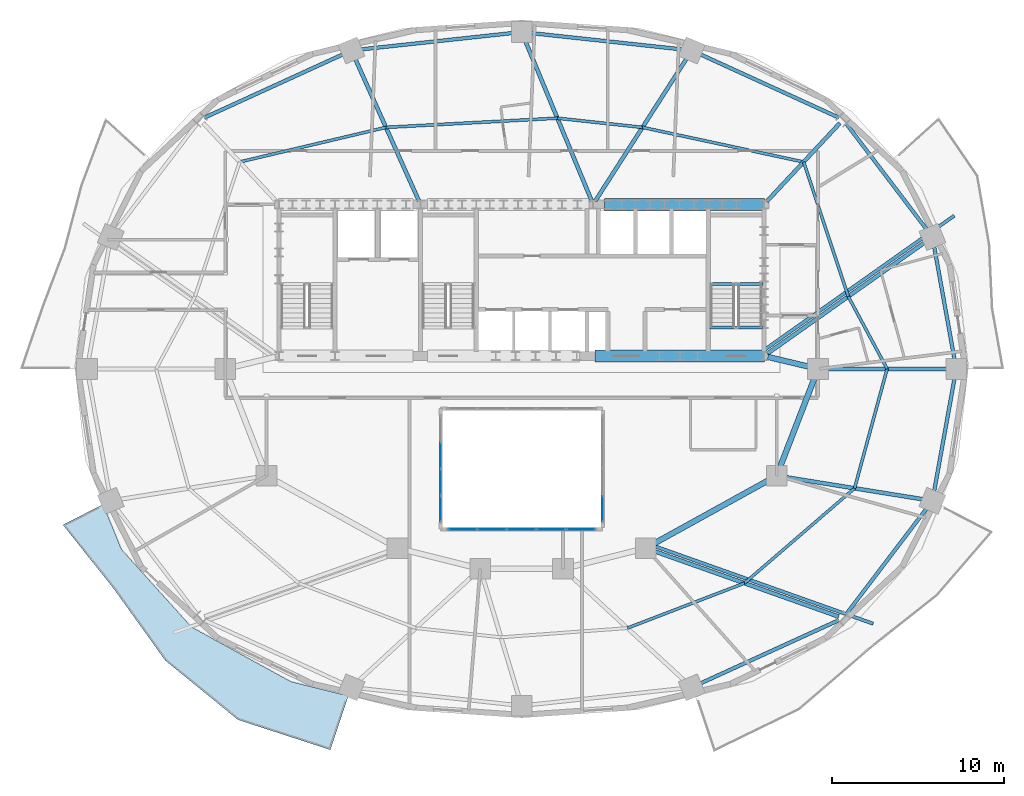
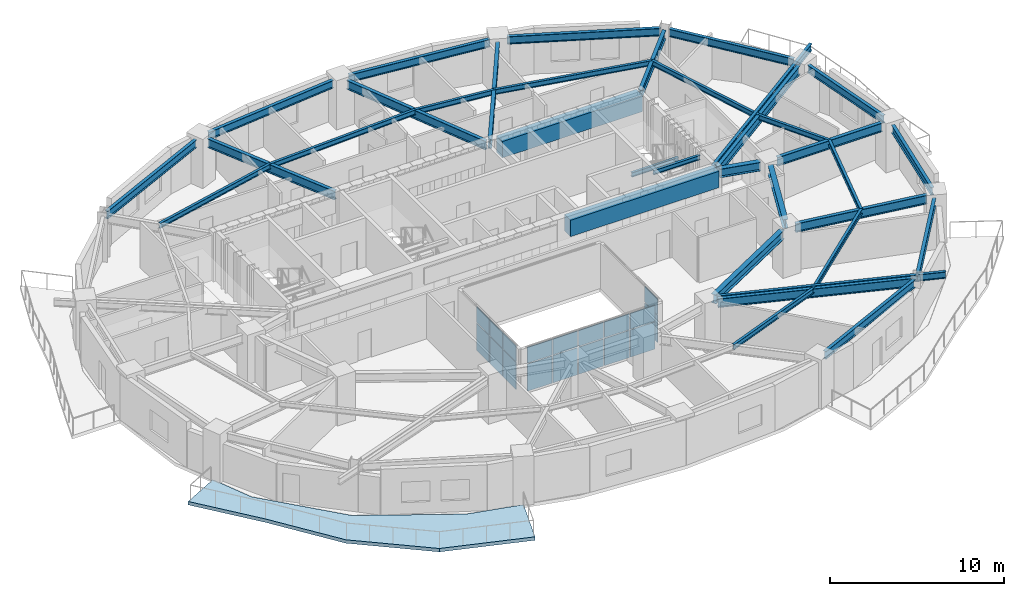
# One storey, part 4 of 13: 35 beams, 18 plates, 1 slab, 3 elements without a shape of their own.
"""IFC4 building model written with IfcOpenShell, lengths in metres."""

from ifc_helpers import new_model, si_unit, direction, frame, origin, origin_2d, place, context, subcontext, project, spatial, polyline, rectangle, i_section, outline, extrude, material, layer, layer_set, material_profile, profile_set, type_object, element, aggregate, save


model = new_model("IFC4")

# Units and contexts
model_context = context("Model", 3, precision=1e-05, world=origin(), true_north=direction((0.0, 1.0)))
body_context = subcontext(model_context, "Body", "Model", "MODEL_VIEW")
ifc_project = project(units=[si_unit("LENGTHUNIT", "METRE"), si_unit("AREAUNIT", "SQUARE_METRE"), si_unit("VOLUMEUNIT", "CUBIC_METRE"), si_unit("PLANEANGLEUNIT", "RADIAN"), si_unit("MASSUNIT", "GRAM", prefix="KILO")], contexts=[model_context])

# Site, building, storey
site_placement = place(None, origin())
site = spatial("IfcSite", under=ifc_project, at=site_placement, CompositionType="ELEMENT")
building_placement = place(site_placement, origin())
building = spatial("IfcBuilding", under=site, at=building_placement, Name="Haldorwick Loom Tower", CompositionType="ELEMENT")
storey_placement = place(building_placement, frame((0.0, 0.0, 142.550048828125)))
storey = spatial("IfcBuildingStorey", under=building, at=storey_placement, Name="L38", CompositionType="ELEMENT", Elevation=142.550048828125)

# Beams
ifc_material_1 = material(Name="Steel CSA G40.21 350W", Category="steel")
ifc_material_profile_1 = material_profile(ifc_material_1, i_section(OverallWidth=0.193115234375, OverallDepth=0.466064453125, WebThickness=0.011474609375, FlangeThickness=0.01904296875, at=origin_2d()), Name="W460X97", Category="steel")
ifc_profile_set_1 = profile_set([ifc_material_profile_1], Name="Steel CSA G40.21 350W")
beam_type_1 = type_object("IfcBeamType", Name="STR-BM-BAL460", PredefinedType="BEAM", material=ifc_profile_set_1)
beam_1_placement = place(storey_placement, frame((43.78369140625, 15.68994140625, 2.97705078125), z_axis=(0.942447955832, -0.334352883266, 0.0), x_axis=(0.334352883266, 0.942447955832, 0.0)))
element("IfcBeam", 1, at=beam_1_placement, inside=storey, type_object=beam_type_1, Name="L38 Continuous Back-Spanned Balcony Beam 1", PredefinedType="BEAM", context=body_context, shape_type="SweptSolid", body=[
    extrude(i_section(OverallWidth=0.193115234375, OverallDepth=0.466064453125, WebThickness=0.011474609375, FlangeThickness=0.01904296875, at=origin_2d()), origin(), (0.0, 0.0, 1.0), 13.385009765625),
])
beam_2_placement = place(storey_placement, frame((50.092041015625, 27.1083984375, 2.97705078125), z_axis=(0.816570288691, 0.577246016554, 0.0), x_axis=(-0.577246016554, 0.816570288691, 0.0)))
element("IfcBeam", 2, at=beam_2_placement, inside=storey, type_object=beam_type_1, Name="L38 Continuous Back-Spanned Balcony Beam 4", PredefinedType="BEAM", context=body_context, shape_type="SweptSolid", body=[
    extrude(i_section(OverallWidth=0.193115234375, OverallDepth=0.466064453125, WebThickness=0.011474609375, FlangeThickness=0.01904296875, at=origin_2d()), origin(), (0.0, 0.0, 1.0), 13.485107421875),
])
ifc_material_2 = material(Name="Concrete C60 (60 MPa)", Category="concrete")
ifc_material_profile_2 = material_profile(ifc_material_2, rectangle(XDim=0.699951171875, YDim=1.14990234375, at=origin_2d()), Name="RC700X1150", Category="concrete")
ifc_profile_set_2 = profile_set([ifc_material_profile_2], Name="Concrete C60 (60 MPa)")
beam_type_2 = type_object("IfcBeamType", Name="STR-BM-CB1150", PredefinedType="LINTEL", material=ifc_profile_set_2)
beam_3_placement = place(storey_placement, frame((40.800048828125, 35.550048828125, 2.635009765625), z_axis=(1.0, 0.0, 0.0), x_axis=(0.0, 1.0, 0.0)))
element("IfcBeam", 3, at=beam_3_placement, inside=storey, type_object=beam_type_2, Name="L38 Core Coupling Beam CB-N3", PredefinedType="LINTEL", context=body_context, shape_type="SweptSolid", body=[
    extrude(rectangle(XDim=0.699951171875, YDim=1.14990234375, at=origin_2d()), origin(), (0.0, 0.0, 1.0), 9.300048828125),
])
beam_4_placement = place(storey_placement, frame((40.25, 26.75, 2.635009765625), z_axis=(1.0, 0.0, 0.0), x_axis=(0.0, 1.0, 0.0)))
element("IfcBeam", 4, at=beam_4_placement, inside=storey, type_object=beam_type_2, Name="L38 Core Coupling Beam CB-S3", PredefinedType="LINTEL", context=body_context, shape_type="SweptSolid", body=[
    extrude(rectangle(XDim=0.699951171875, YDim=1.14990234375, at=origin_2d()), origin(), (0.0, 0.0, 1.0), 9.85009765625),
])
ifc_material_profile_3 = material_profile(ifc_material_1, i_section(OverallWidth=0.172119140625, OverallDepth=0.35791015625, WebThickness=0.0078125, FlangeThickness=0.01318359375, at=origin_2d()), Name="W360X57", Category="steel")
ifc_profile_set_3 = profile_set([ifc_material_profile_3], Name="Steel CSA G40.21 350W")
beam_type_3 = type_object("IfcBeamType", Name="STR-BM-J360", PredefinedType="JOIST", material=ifc_profile_set_3)
beam_5_placement = place(storey_placement, frame((57.20849609375, 26.0, 3.031005859375), z_axis=(-0.472930162238, 0.881099915813, 0.0), x_axis=(-0.881099915813, -0.472930162238, 0.0)))
element("IfcBeam", 5, at=beam_5_placement, inside=storey, type_object=beam_type_3, Name="L38 Mid-Bay Secondary Joist 1", PredefinedType="JOIST", context=body_context, shape_type="SweptSolid", body=[
    extrude(i_section(OverallWidth=0.172119140625, OverallDepth=0.35791015625, WebThickness=0.0078125, FlangeThickness=0.01318359375, at=origin_2d()), origin(), (0.0, 0.0, 1.0), 4.76904296875),
])
beam_6_placement = place(storey_placement, frame((54.953125, 30.201904296875, 3.031005859375), z_axis=(-0.314980632705, 0.949098098734, 0.0), x_axis=(-0.949098098734, -0.314980632705, 0.0)))
element("IfcBeam", 6, at=beam_6_placement, inside=storey, type_object=beam_type_3, Name="L38 Mid-Bay Secondary Joist 2", PredefinedType="JOIST", context=body_context, shape_type="SweptSolid", body=[
    extrude(i_section(OverallWidth=0.172119140625, OverallDepth=0.35791015625, WebThickness=0.0078125, FlangeThickness=0.01318359375, at=origin_2d()), origin(), (0.0, 0.0, 1.0), 8.223876953125),
])
beam_7_placement = place(storey_placement, frame((52.36279296875, 38.007080078125, 3.031005859375), z_axis=(-0.977737366421, 0.209832414808, 0.0), x_axis=(-0.209832414808, -0.977737366421, 0.0)))
element("IfcBeam", 7, at=beam_7_placement, inside=storey, type_object=beam_type_3, Name="L38 Mid-Bay Secondary Joist 3", PredefinedType="JOIST", context=body_context, shape_type="SweptSolid", body=[
    extrude(i_section(OverallWidth=0.172119140625, OverallDepth=0.35791015625, WebThickness=0.0078125, FlangeThickness=0.01318359375, at=origin_2d()), origin(), (0.0, 0.0, 1.0), 9.56396484375),
])
beam_8_placement = place(storey_placement, frame((43.01171875, 40.013916015625, 3.031005859375), z_axis=(-0.994212584227, 0.107430616514, 0.0), x_axis=(-0.107430616514, -0.994212584227, 0.0)))
element("IfcBeam", 8, at=beam_8_placement, inside=storey, type_object=beam_type_3, Name="L38 Mid-Bay Secondary Joist 4", PredefinedType="JOIST", context=body_context, shape_type="SweptSolid", body=[
    extrude(i_section(OverallWidth=0.172119140625, OverallDepth=0.35791015625, WebThickness=0.0078125, FlangeThickness=0.01318359375, at=origin_2d()), origin(), (0.0, 0.0, 1.0), 4.965576171875),
])
beam_9_placement = place(storey_placement, frame((38.074951171875, 40.54736328125, 3.031005859375), z_axis=(-0.998564927415, -0.053554511828, 0.0), x_axis=(0.053554511828, -0.998564927415, 0.0)))
element("IfcBeam", 9, at=beam_9_placement, inside=storey, type_object=beam_type_3, Name="L38 Mid-Bay Secondary Joist 5", PredefinedType="JOIST", context=body_context, shape_type="SweptSolid", body=[
    extrude(i_section(OverallWidth=0.172119140625, OverallDepth=0.35791015625, WebThickness=0.0078125, FlangeThickness=0.01318359375, at=origin_2d()), origin(), (0.0, 0.0, 1.0), 9.9609375),
])
beam_10_placement = place(storey_placement, frame((28.12841796875, 40.013916015625, 3.031005859375), z_axis=(-0.973189168086, -0.230006180612, 0.0), x_axis=(0.230006180612, -0.973189168086, 0.0)))
element("IfcBeam", 10, at=beam_10_placement, inside=storey, type_object=beam_type_3, Name="L38 Mid-Bay Secondary Joist 6", PredefinedType="JOIST", context=body_context, shape_type="SweptSolid", body=[
    extrude(i_section(OverallWidth=0.172119140625, OverallDepth=0.35791015625, WebThickness=0.0078125, FlangeThickness=0.01318359375, at=origin_2d()), origin(), (0.0, 0.0, 1.0), 8.72509765625),
])
beam_11_placement = place(storey_placement, frame((42.13671875, 10.961181640625, 3.031005859375), z_axis=(0.933586737031, 0.358351509609, 0.0), x_axis=(-0.358351509609, 0.933586737031, 0.0)))
element("IfcBeam", 11, at=beam_11_placement, inside=storey, type_object=beam_type_3, Name="L38 Mid-Bay Secondary Joist 14", PredefinedType="JOIST", context=body_context, shape_type="SweptSolid", body=[
    extrude(i_section(OverallWidth=0.172119140625, OverallDepth=0.35791015625, WebThickness=0.0078125, FlangeThickness=0.01318359375, at=origin_2d()), origin(), (0.0, 0.0, 1.0), 7.274169921875),
])
beam_12_placement = place(storey_placement, frame((48.927734375, 13.56787109375, 3.031005859375), z_axis=(0.75763401328, 0.652679631918, 0.0), x_axis=(-0.652679631918, 0.75763401328, 0.0)))
element("IfcBeam", 12, at=beam_12_placement, inside=storey, type_object=beam_type_3, Name="L38 Mid-Bay Secondary Joist 15", PredefinedType="JOIST", context=body_context, shape_type="SweptSolid", body=[
    extrude(i_section(OverallWidth=0.172119140625, OverallDepth=0.35791015625, WebThickness=0.0078125, FlangeThickness=0.01318359375, at=origin_2d()), origin(), (0.0, 0.0, 1.0), 8.4345703125),
])
beam_13_placement = place(storey_placement, frame((55.318115234375, 19.072998046875, 3.031005859375), z_axis=(0.263272762578, 0.964721437766, 0.0), x_axis=(-0.964721437766, 0.263272762578, 0.0)))
element("IfcBeam", 13, at=beam_13_placement, inside=storey, type_object=beam_type_3, Name="L38 Mid-Bay Secondary Joist 16", PredefinedType="JOIST", context=body_context, shape_type="SweptSolid", body=[
    extrude(i_section(OverallWidth=0.172119140625, OverallDepth=0.35791015625, WebThickness=0.0078125, FlangeThickness=0.01318359375, at=origin_2d()), origin(), (0.0, 0.0, 1.0), 7.180419921875),
])
ifc_material_profile_4 = material_profile(ifc_material_1, i_section(OverallWidth=0.2119140625, OverallDepth=0.5439453125, WebThickness=0.01318359375, FlangeThickness=0.021240234375, at=origin_2d()), Name="W530X123", Category="steel")
ifc_profile_set_4 = profile_set([ifc_material_profile_4], Name="Steel CSA G40.21 350W")
beam_type_4 = type_object("IfcBeamType", Name="STR-BM-SP530", PredefinedType="SPANDREL", material=ifc_profile_set_4)
beam_14_placement = place(storey_placement, frame((61.124755859375, 26.51171875, 2.93798828125), z_axis=(-0.177558730702, 0.984110205796, 0.0), x_axis=(-0.984110205796, -0.177558730702, 0.0)))
element("IfcBeam", 14, at=beam_14_placement, inside=storey, type_object=beam_type_4, Name="L38 Perimeter Spandrel 1", PredefinedType="SPANDREL", context=body_context, shape_type="SweptSolid", body=[
    extrude(i_section(OverallWidth=0.2119140625, OverallDepth=0.5439453125, WebThickness=0.01318359375, FlangeThickness=0.021240234375, at=origin_2d()), origin(), (0.0, 0.0, 1.0), 6.737548828125),
])
beam_15_placement = place(storey_placement, frame((59.521240234375, 34.067626953125, 2.93798828125), z_axis=(-0.605421356486, 0.795905133236, 0.0), x_axis=(-0.795905133236, -0.605421356486, 0.0)))
element("IfcBeam", 15, at=beam_15_placement, inside=storey, type_object=beam_type_4, Name="L38 Perimeter Spandrel 2", PredefinedType="SPANDREL", context=body_context, shape_type="SweptSolid", body=[
    extrude(i_section(OverallWidth=0.2119140625, OverallDepth=0.5439453125, WebThickness=0.01318359375, FlangeThickness=0.021240234375, at=origin_2d()), origin(), (0.0, 0.0, 1.0), 7.761962890625),
])
beam_16_placement = place(storey_placement, frame((54.405517578125, 40.57861328125, 2.93798828125), z_axis=(-0.909534296496, 0.415628877121, 0.0), x_axis=(-0.415628877121, -0.909534296496, 0.0)))
element("IfcBeam", 16, at=beam_16_placement, inside=storey, type_object=beam_type_4, Name="L38 Perimeter Spandrel 3", PredefinedType="SPANDREL", context=body_context, shape_type="SweptSolid", body=[
    extrude(i_section(OverallWidth=0.2119140625, OverallDepth=0.5439453125, WebThickness=0.01318359375, FlangeThickness=0.021240234375, at=origin_2d()), origin(), (0.0, 0.0, 1.0), 8.86083984375),
])
for number, where, z_axis, x_axis, name in (
    (17, (45.356201171875, 44.533447265625, 2.93798828125), (-0.994210140187, 0.107453232386, 0.0), (-0.107453232386, -0.994210140187, 0.0), "L38 Perimeter Spandrel 4"),
    (18, (35.48291015625, 45.48876953125, 2.93798828125), (-0.994210140187, -0.107453232386, 0.0), (0.107453232386, -0.994210140187, 0.0), "L38 Perimeter Spandrel 5"),
):
    element("IfcBeam", number, at=place(storey_placement, frame(where, z_axis=z_axis, x_axis=x_axis)), inside=storey, type_object=beam_type_4, Name=name, PredefinedType="SPANDREL", context=body_context, shape_type="SweptSolid", body=[
        extrude(i_section(OverallWidth=0.2119140625, OverallDepth=0.5439453125, WebThickness=0.01318359375, FlangeThickness=0.021240234375, at=origin_2d()), origin(), (0.0, 0.0, 1.0), 8.890625),
    ])
for number, where, z_axis, x_axis, name in (
    (19, (25.65380859375, 44.261474609375, 2.93798828125), (-0.909534296496, -0.415628877121, 0.0), (0.415628877121, -0.909534296496, 0.0), "L38 Perimeter Spandrel 6"),
    (20, (46.34619140625, 7.738525390625, 2.93798828125), (0.909534296496, 0.415628877121, 0.0), (-0.415628877121, 0.909534296496, 0.0), "L38 Perimeter Spandrel 14"),
):
    element("IfcBeam", number, at=place(storey_placement, frame(where, z_axis=z_axis, x_axis=x_axis)), inside=storey, type_object=beam_type_4, Name=name, PredefinedType="SPANDREL", context=body_context, shape_type="SweptSolid", body=[
        extrude(i_section(OverallWidth=0.2119140625, OverallDepth=0.5439453125, WebThickness=0.01318359375, FlangeThickness=0.021240234375, at=origin_2d()), origin(), (0.0, 0.0, 1.0), 8.86083984375),
    ])
beam_17_placement = place(storey_placement, frame((54.822021484375, 11.754638671875, 2.93798828125), z_axis=(0.605421356486, 0.795905133236, 0.0), x_axis=(-0.795905133236, 0.605421356486, 0.0)))
element("IfcBeam", 21, at=beam_17_placement, inside=storey, type_object=beam_type_4, Name="L38 Perimeter Spandrel 15", PredefinedType="SPANDREL", context=body_context, shape_type="SweptSolid", body=[
    extrude(i_section(OverallWidth=0.2119140625, OverallDepth=0.5439453125, WebThickness=0.01318359375, FlangeThickness=0.021240234375, at=origin_2d()), origin(), (0.0, 0.0, 1.0), 7.761962890625),
])
beam_18_placement = place(storey_placement, frame((59.928466796875, 18.85791015625, 2.93798828125), z_axis=(0.177558730702, 0.984110205796, 0.0), x_axis=(-0.984110205796, 0.177558730702, 0.0)))
element("IfcBeam", 22, at=beam_18_placement, inside=storey, type_object=beam_type_4, Name="L38 Perimeter Spandrel 16", PredefinedType="SPANDREL", context=body_context, shape_type="SweptSolid", body=[
    extrude(i_section(OverallWidth=0.2119140625, OverallDepth=0.5439453125, WebThickness=0.01318359375, FlangeThickness=0.021240234375, at=origin_2d()), origin(), (0.0, 0.0, 1.0), 6.737548828125),
])
ifc_material_profile_5 = material_profile(ifc_material_1, i_section(OverallWidth=0.166015625, OverallDepth=0.31298828125, WebThickness=0.006591796875, FlangeThickness=0.01123046875, at=origin_2d()), Name="W310X45", Category="steel")
ifc_profile_set_5 = profile_set([ifc_material_profile_5], Name="Steel CSA G40.21 350W")
beam_type_5 = type_object("IfcBeamType", Name="STR-BM-STRM", PredefinedType="BEAM", material=ifc_profile_set_5)
for number, where, z_axis, x_axis, name in (
    (23, (46.889892578125, 28.39990234375, 3.053466796875), (1.0, 0.0, 0.0), (0.0, 1.0, 0.0), "L38 Stair ST-02 Landing Edge Trimmer"),
    (24, (46.889892578125, 30.919921875, 1.368408203125), (1.0, 0.0, 0.0), (0.0, 1.0, 0.0), "L38 Stair ST-02 Half-Landing Trimmer 1"),
):
    element("IfcBeam", number, at=place(storey_placement, frame(where, z_axis=z_axis, x_axis=x_axis)), inside=storey, type_object=beam_type_5, Name=name, PredefinedType="BEAM", context=body_context, shape_type="SweptSolid", body=[
        extrude(i_section(OverallWidth=0.166015625, OverallDepth=0.31298828125, WebThickness=0.006591796875, FlangeThickness=0.01123046875, at=origin_2d()), origin(), (0.0, 0.0, 1.0), 3.1201171875),
    ])
ifc_material_profile_6 = material_profile(ifc_material_1, i_section(OverallWidth=0.324951171875, OverallDepth=0.615966796875, WebThickness=0.013916015625, FlangeThickness=0.021484375, at=origin_2d()), Name="W610X174", Category="steel")
ifc_profile_set_6 = profile_set([ifc_material_profile_6], Name="Steel CSA G40.21 350W")
beam_type_6 = type_object("IfcBeamType", Name="STR-BM-W610A", PredefinedType="BEAM", material=ifc_profile_set_6)
beam_19_placement = place(storey_placement, frame((50.288818359375, 26.697509765625, 2.90185546875), z_axis=(0.97247055837, -0.233025777764, 0.0), x_axis=(0.233025777764, 0.97247055837, 0.0)))
element("IfcBeam", 25, at=beam_19_placement, inside=storey, type_object=beam_type_6, Name="L38 Inner Ring Girder 1", PredefinedType="BEAM", context=body_context, shape_type="SweptSolid", body=[
    extrude(i_section(OverallWidth=0.324951171875, OverallDepth=0.615966796875, WebThickness=0.013916015625, FlangeThickness=0.021484375, at=origin_2d()), origin(), (0.0, 0.0, 1.0), 2.4736328125),
])
beam_20_placement = place(storey_placement, frame((53.01220703125, 25.51513671875, 2.90185546875), z_axis=(-0.360964792353, -0.93257944363, 0.0), x_axis=(0.93257944363, -0.360964792353, 0.0)))
element("IfcBeam", 26, at=beam_20_placement, inside=storey, type_object=beam_type_6, Name="L38 Inner Ring Girder 2", PredefinedType="BEAM", context=body_context, shape_type="SweptSolid", body=[
    extrude(i_section(OverallWidth=0.324951171875, OverallDepth=0.615966796875, WebThickness=0.013916015625, FlangeThickness=0.021484375, at=origin_2d()), origin(), (0.0, 0.0, 1.0), 5.6083984375),
])
beam_21_placement = place(storey_placement, frame((50.344970703125, 19.548583984375, 2.90185546875), z_axis=(-0.875244382146, -0.483680960471, 0.0), x_axis=(0.483680960471, -0.875244382146, 0.0)))
element("IfcBeam", 27, at=beam_21_placement, inside=storey, type_object=beam_type_6, Name="L38 Inner Ring Girder 3", PredefinedType="BEAM", context=body_context, shape_type="SweptSolid", body=[
    extrude(i_section(OverallWidth=0.324951171875, OverallDepth=0.615966796875, WebThickness=0.013916015625, FlangeThickness=0.021484375, at=origin_2d()), origin(), (0.0, 0.0, 1.0), 7.6435546875),
])
ifc_material_profile_7 = material_profile(ifc_material_1, i_section(OverallWidth=0.22998046875, OverallDepth=0.616943359375, WebThickness=0.01318359375, FlangeThickness=0.022216796875, at=origin_2d()), Name="W610X140", Category="steel")
ifc_profile_set_7 = profile_set([ifc_material_profile_7], Name="Steel CSA G40.21 350W")
beam_type_7 = type_object("IfcBeamType", Name="STR-BM-W610B", PredefinedType="BEAM", material=ifc_profile_set_7)
beam_22_placement = place(storey_placement, frame((53.719970703125, 26.0, 2.9013671875), z_axis=(1.0, 0.0, 0.0), x_axis=(0.0, 1.0, 0.0)))
element("IfcBeam", 28, at=beam_22_placement, inside=storey, type_object=beam_type_7, Name="L38 Radial Floor Girder 1", PredefinedType="BEAM", context=body_context, shape_type="SweptSolid", body=[
    extrude(i_section(OverallWidth=0.22998046875, OverallDepth=0.616943359375, WebThickness=0.01318359375, FlangeThickness=0.022216796875, at=origin_2d()), origin(), (0.0, 0.0, 1.0), 6.97705078125),
])
beam_23_placement = place(storey_placement, frame((50.253662109375, 26.8798828125, 2.9013671875), z_axis=(0.816581567299, 0.577230061542, 0.0), x_axis=(-0.577230061542, 0.816581567299, 0.0)))
element("IfcBeam", 29, at=beam_23_placement, inside=storey, type_object=beam_type_7, Name="L38 Radial Floor Girder 2", PredefinedType="BEAM", context=body_context, shape_type="SweptSolid", body=[
    extrude(i_section(OverallWidth=0.22998046875, OverallDepth=0.616943359375, WebThickness=0.01318359375, FlangeThickness=0.022216796875, at=origin_2d()), origin(), (0.0, 0.0, 1.0), 11.215087890625),
])
beam_24_placement = place(storey_placement, frame((50.223388671875, 35.714599609375, 2.9013671875), z_axis=(0.682256728841, 0.731112683484, 0.0), x_axis=(-0.731112683484, 0.682256728841, 0.0)))
element("IfcBeam", 30, at=beam_24_placement, inside=storey, type_object=beam_type_7, Name="L38 Radial Floor Girder 3", PredefinedType="BEAM", context=body_context, shape_type="SweptSolid", body=[
    extrude(i_section(OverallWidth=0.22998046875, OverallDepth=0.616943359375, WebThickness=0.01318359375, FlangeThickness=0.022216796875, at=origin_2d()), origin(), (0.0, 0.0, 1.0), 6.221435546875),
])
beam_25_placement = place(storey_placement, frame((40.271484375, 35.739501953125, 2.9013671875), z_axis=(0.53969086509, 0.841863272829, 0.0), x_axis=(-0.841863272829, 0.53969086509, 0.0)))
element("IfcBeam", 31, at=beam_25_placement, inside=storey, type_object=beam_type_7, Name="L38 Radial Floor Girder 4", PredefinedType="BEAM", context=body_context, shape_type="SweptSolid", body=[
    extrude(i_section(OverallWidth=0.22998046875, OverallDepth=0.616943359375, WebThickness=0.01318359375, FlangeThickness=0.022216796875, at=origin_2d()), origin(), (0.0, 0.0, 1.0), 9.859375),
])
beam_26_placement = place(storey_placement, frame((40.063720703125, 35.7578125, 2.9013671875), z_axis=(-0.383472813848, 0.923552164764, 0.0), x_axis=(-0.923552164764, -0.383472813848, 0.0)))
element("IfcBeam", 32, at=beam_26_placement, inside=storey, type_object=beam_type_7, Name="L38 Radial Floor Girder 5", PredefinedType="BEAM", context=body_context, shape_type="SweptSolid", body=[
    extrude(i_section(OverallWidth=0.22998046875, OverallDepth=0.616943359375, WebThickness=0.01318359375, FlangeThickness=0.022216796875, at=origin_2d()), origin(), (0.0, 0.0, 1.0), 10.076904296875),
])
beam_27_placement = place(storey_placement, frame((30.037841796875, 35.75537109375, 2.9013671875), z_axis=(-0.409143536778, 0.912470035844, 0.0), x_axis=(-0.912470035844, -0.409143536778, 0.0)))
element("IfcBeam", 33, at=beam_27_placement, inside=storey, type_object=beam_type_7, Name="L38 Radial Floor Girder 6", PredefinedType="BEAM", context=body_context, shape_type="SweptSolid", body=[
    extrude(i_section(OverallWidth=0.22998046875, OverallDepth=0.616943359375, WebThickness=0.01318359375, FlangeThickness=0.022216796875, at=origin_2d()), origin(), (0.0, 0.0, 1.0), 9.0390625),
])
beam_28_placement = place(storey_placement, frame((43.690185546875, 15.426025390625, 2.9013671875), z_axis=(0.9424463153, -0.334357507433, 0.0), x_axis=(0.334357507433, 0.9424463153, 0.0)))
element("IfcBeam", 34, at=beam_28_placement, inside=storey, type_object=beam_type_7, Name="L38 Radial Floor Girder 15", PredefinedType="BEAM", context=body_context, shape_type="SweptSolid", body=[
    extrude(i_section(OverallWidth=0.22998046875, OverallDepth=0.616943359375, WebThickness=0.01318359375, FlangeThickness=0.022216796875, at=origin_2d()), origin(), (0.0, 0.0, 1.0), 11.360107421875),
])
beam_29_placement = place(storey_placement, frame((51.3134765625, 19.71728515625, 2.9013671875), z_axis=(0.987308639475, -0.158813256432, 0.0), x_axis=(0.158813256432, 0.987308639475, 0.0)))
element("IfcBeam", 35, at=beam_29_placement, inside=storey, type_object=beam_type_7, Name="L38 Radial Floor Girder 16", PredefinedType="BEAM", context=body_context, shape_type="SweptSolid", body=[
    extrude(i_section(OverallWidth=0.22998046875, OverallDepth=0.616943359375, WebThickness=0.01318359375, FlangeThickness=0.022216796875, at=origin_2d()), origin(), (0.0, 0.0, 1.0), 8.1123046875),
])

# Curtain wall, plates
ifc_material_3 = material(Name="Thermally Broken Anodized Aluminium Curtain Wall Framing", Category="aluminium")
curtain_wall_type = type_object("IfcCurtainWallType", Name="ARC-CW-03", PredefinedType="NOTDEFINED", material=ifc_material_3)
curtain_wall_1_placement = place(storey_placement, origin())
curtain_wall_1 = element("IfcCurtainWall", 36, at=curtain_wall_1_placement, inside=storey, type_object=curtain_wall_type, Name="L38 Atrium Glazed Screen S", PredefinedType="NOTDEFINED")
ifc_material_4 = material(Name="Triple-Glazed Low-E Argon Insulated Glazing Unit", Category="glass")
ifc_layer_1 = layer(ifc_material_4, 0.04296875, Name="Triple-Glazed Low-E Argon Insulated Glazing Unit", Category="glass")
ifc_layer_set_1 = layer_set([ifc_layer_1], Name="Triple-Glazed Low-E Argon Insulated Glazing Unit")
plate_type = type_object("IfcPlateType", Name="ARC-CWP-03", PredefinedType="CURTAIN_PANEL", material=ifc_layer_set_1)
plate_1_placement = place(storey_placement, frame((39.423583984375, 16.699951171875, 0.06591796875), z_axis=(0.0, 0.0, 1.0), x_axis=(-1.0, 0.0, 0.0)))
plate_1 = element("IfcPlate", 37, at=plate_1_placement, type_object=plate_type, Name="CW-03 panel 1.1", PredefinedType="CURTAIN_PANEL", context=body_context, shape_type="SweptSolid", body=[
    extrude(rectangle(XDim=1.62109375, YDim=0.04296875, at=origin_2d()), origin(), (0.0, 0.0, 1.0), 1.90087890625),
])
plate_2_placement = place(storey_placement, frame((39.423583984375, 16.699951171875, 2.03271484375), z_axis=(0.0, 0.0, 1.0), x_axis=(-1.0, 0.0, 0.0)))
plate_2 = element("IfcPlate", 38, at=plate_2_placement, type_object=plate_type, Name="CW-03 panel 1.2", PredefinedType="CURTAIN_PANEL", context=body_context, shape_type="SweptSolid", body=[
    extrude(rectangle(XDim=1.62109375, YDim=0.04296875, at=origin_2d()), origin(), (0.0, 0.0, 1.0), 1.111083984375),
])
plate_3_placement = place(storey_placement, frame((37.719970703125, 16.699951171875, 0.06591796875), z_axis=(0.0, 0.0, 1.0), x_axis=(-1.0, 0.0, 0.0)))
plate_3 = element("IfcPlate", 39, at=plate_3_placement, type_object=plate_type, Name="CW-03 panel 2.1", PredefinedType="CURTAIN_PANEL", context=body_context, shape_type="SweptSolid", body=[
    extrude(rectangle(XDim=1.654052734375, YDim=0.04296875, at=origin_2d()), origin(), (0.0, 0.0, 1.0), 1.90087890625),
])
plate_4_placement = place(storey_placement, frame((37.719970703125, 16.699951171875, 2.03271484375), z_axis=(0.0, 0.0, 1.0), x_axis=(-1.0, 0.0, 0.0)))
plate_4 = element("IfcPlate", 40, at=plate_4_placement, type_object=plate_type, Name="CW-03 panel 2.2", PredefinedType="CURTAIN_PANEL", context=body_context, shape_type="SweptSolid", body=[
    extrude(rectangle(XDim=1.654052734375, YDim=0.04296875, at=origin_2d()), origin(), (0.0, 0.0, 1.0), 1.111083984375),
])
plate_5_placement = place(storey_placement, frame((36.0, 16.699951171875, 0.06591796875), z_axis=(0.0, 0.0, 1.0), x_axis=(-1.0, 0.0, 0.0)))
plate_5 = element("IfcPlate", 41, at=plate_5_placement, type_object=plate_type, Name="CW-03 panel 3.1", PredefinedType="CURTAIN_PANEL", context=body_context, shape_type="SweptSolid", body=[
    extrude(rectangle(XDim=1.654052734375, YDim=0.04296875, at=origin_2d()), origin(), (0.0, 0.0, 1.0), 1.90087890625),
])
plate_6_placement = place(storey_placement, frame((36.0, 16.699951171875, 2.03271484375), z_axis=(0.0, 0.0, 1.0), x_axis=(-1.0, 0.0, 0.0)))
plate_6 = element("IfcPlate", 42, at=plate_6_placement, type_object=plate_type, Name="CW-03 panel 3.2", PredefinedType="CURTAIN_PANEL", context=body_context, shape_type="SweptSolid", body=[
    extrude(rectangle(XDim=1.654052734375, YDim=0.04296875, at=origin_2d()), origin(), (0.0, 0.0, 1.0), 1.111083984375),
])
plate_7_placement = place(storey_placement, frame((34.280029296875, 16.699951171875, 0.06591796875), z_axis=(0.0, 0.0, 1.0), x_axis=(-1.0, 0.0, 0.0)))
plate_7 = element("IfcPlate", 43, at=plate_7_placement, type_object=plate_type, Name="CW-03 panel 4.1", PredefinedType="CURTAIN_PANEL", context=body_context, shape_type="SweptSolid", body=[
    extrude(rectangle(XDim=1.654052734375, YDim=0.04296875, at=origin_2d()), origin(), (0.0, 0.0, 1.0), 1.90087890625),
])
plate_8_placement = place(storey_placement, frame((34.280029296875, 16.699951171875, 2.03271484375), z_axis=(0.0, 0.0, 1.0), x_axis=(-1.0, 0.0, 0.0)))
plate_8 = element("IfcPlate", 44, at=plate_8_placement, type_object=plate_type, Name="CW-03 panel 4.2", PredefinedType="CURTAIN_PANEL", context=body_context, shape_type="SweptSolid", body=[
    extrude(rectangle(XDim=1.654052734375, YDim=0.04296875, at=origin_2d()), origin(), (0.0, 0.0, 1.0), 1.111083984375),
])
plate_9_placement = place(storey_placement, frame((32.576416015625, 16.699951171875, 0.06591796875), z_axis=(0.0, 0.0, 1.0), x_axis=(-1.0, 0.0, 0.0)))
plate_9 = element("IfcPlate", 45, at=plate_9_placement, type_object=plate_type, Name="CW-03 panel 5.1", PredefinedType="CURTAIN_PANEL", context=body_context, shape_type="SweptSolid", body=[
    extrude(rectangle(XDim=1.62109375, YDim=0.04296875, at=origin_2d()), origin(), (0.0, 0.0, 1.0), 1.90087890625),
])
plate_10_placement = place(storey_placement, frame((32.576416015625, 16.699951171875, 2.03271484375), z_axis=(0.0, 0.0, 1.0), x_axis=(-1.0, 0.0, 0.0)))
plate_10 = element("IfcPlate", 46, at=plate_10_placement, type_object=plate_type, Name="CW-03 panel 5.2", PredefinedType="CURTAIN_PANEL", context=body_context, shape_type="SweptSolid", body=[
    extrude(rectangle(XDim=1.62109375, YDim=0.04296875, at=origin_2d()), origin(), (0.0, 0.0, 1.0), 1.111083984375),
])
aggregate(curtain_wall_1, [plate_1, plate_2, plate_3, plate_4, plate_5, plate_6, plate_7, plate_8, plate_9, plate_10])

curtain_wall_2_placement = place(storey_placement, origin())
curtain_wall_2 = element("IfcCurtainWall", 47, at=curtain_wall_2_placement, inside=storey, type_object=curtain_wall_type, Name="L38 Atrium Glazed Screen W", PredefinedType="NOTDEFINED")
plate_11_placement = place(storey_placement, frame((31.300048828125, 17.8916015625, 0.06591796875), z_axis=(0.0, 0.0, 1.0), x_axis=(0.0, 1.0, 0.0)))
plate_11 = element("IfcPlate", 48, at=plate_11_placement, type_object=plate_type, Name="CW-03 panel 1.1", PredefinedType="CURTAIN_PANEL", context=body_context, shape_type="SweptSolid", body=[
    extrude(rectangle(XDim=1.450927734375, YDim=0.04296875, at=origin_2d()), origin(), (0.0, 0.0, 1.0), 1.90087890625),
])
plate_12_placement = place(storey_placement, frame((31.300048828125, 17.8916015625, 2.03271484375), z_axis=(0.0, 0.0, 1.0), x_axis=(0.0, 1.0, 0.0)))
plate_12 = element("IfcPlate", 49, at=plate_12_placement, type_object=plate_type, Name="CW-03 panel 1.2", PredefinedType="CURTAIN_PANEL", context=body_context, shape_type="SweptSolid", body=[
    extrude(rectangle(XDim=1.450927734375, YDim=0.04296875, at=origin_2d()), origin(), (0.0, 0.0, 1.0), 1.111083984375),
])
plate_13_placement = place(storey_placement, frame((31.300048828125, 19.425048828125, 0.06591796875), z_axis=(0.0, 0.0, 1.0), x_axis=(0.0, 1.0, 0.0)))
plate_13 = element("IfcPlate", 50, at=plate_13_placement, type_object=plate_type, Name="CW-03 panel 2.1", PredefinedType="CURTAIN_PANEL", context=body_context, shape_type="SweptSolid", body=[
    extrude(rectangle(XDim=1.48388671875, YDim=0.04296875, at=origin_2d()), origin(), (0.0, 0.0, 1.0), 1.90087890625),
])
plate_14_placement = place(storey_placement, frame((31.300048828125, 19.425048828125, 2.03271484375), z_axis=(0.0, 0.0, 1.0), x_axis=(0.0, 1.0, 0.0)))
plate_14 = element("IfcPlate", 51, at=plate_14_placement, type_object=plate_type, Name="CW-03 panel 2.2", PredefinedType="CURTAIN_PANEL", context=body_context, shape_type="SweptSolid", body=[
    extrude(rectangle(XDim=1.48388671875, YDim=0.04296875, at=origin_2d()), origin(), (0.0, 0.0, 1.0), 1.111083984375),
])
plate_15_placement = place(storey_placement, frame((31.300048828125, 20.97509765625, 0.06591796875), z_axis=(0.0, 0.0, 1.0), x_axis=(0.0, 1.0, 0.0)))
plate_15 = element("IfcPlate", 52, at=plate_15_placement, type_object=plate_type, Name="CW-03 panel 3.1", PredefinedType="CURTAIN_PANEL", context=body_context, shape_type="SweptSolid", body=[
    extrude(rectangle(XDim=1.48388671875, YDim=0.04296875, at=origin_2d()), origin(), (0.0, 0.0, 1.0), 1.90087890625),
])
plate_16_placement = place(storey_placement, frame((31.300048828125, 20.97509765625, 2.03271484375), z_axis=(0.0, 0.0, 1.0), x_axis=(0.0, 1.0, 0.0)))
plate_16 = element("IfcPlate", 53, at=plate_16_placement, type_object=plate_type, Name="CW-03 panel 3.2", PredefinedType="CURTAIN_PANEL", context=body_context, shape_type="SweptSolid", body=[
    extrude(rectangle(XDim=1.48388671875, YDim=0.04296875, at=origin_2d()), origin(), (0.0, 0.0, 1.0), 1.111083984375),
])
aggregate(curtain_wall_2, [plate_11, plate_12, plate_13, plate_14, plate_15, plate_16])

curtain_wall_3_placement = place(storey_placement, origin())
curtain_wall_3 = element("IfcCurtainWall", 54, at=curtain_wall_3_placement, inside=storey, type_object=curtain_wall_type, Name="L38 Atrium Glazed Screen E", PredefinedType="NOTDEFINED")
plate_17_placement = place(storey_placement, frame((40.699951171875, 17.8916015625, 0.06591796875), z_axis=(0.0, 0.0, 1.0), x_axis=(0.0, -1.0, 0.0)))
plate_17 = element("IfcPlate", 55, at=plate_17_placement, type_object=plate_type, Name="CW-03 panel 4.1", PredefinedType="CURTAIN_PANEL", context=body_context, shape_type="SweptSolid", body=[
    extrude(rectangle(XDim=1.450927734375, YDim=0.04296875, at=origin_2d()), origin(), (0.0, 0.0, 1.0), 1.90087890625),
])
plate_18_placement = place(storey_placement, frame((40.699951171875, 17.8916015625, 2.03271484375), z_axis=(0.0, 0.0, 1.0), x_axis=(0.0, -1.0, 0.0)))
plate_18 = element("IfcPlate", 56, at=plate_18_placement, type_object=plate_type, Name="CW-03 panel 4.2", PredefinedType="CURTAIN_PANEL", context=body_context, shape_type="SweptSolid", body=[
    extrude(rectangle(XDim=1.450927734375, YDim=0.04296875, at=origin_2d()), origin(), (0.0, 0.0, 1.0), 1.111083984375),
])
aggregate(curtain_wall_3, [plate_17, plate_18])

# Slab
ifc_material_5 = material(Name="Concrete C40 (40 MPa)", Category="concrete")
ifc_layer_2 = layer(ifc_material_5, 0.239990234375, Name="Concrete C40 (40 MPa)", Category="concrete")
ifc_layer_set_2 = layer_set([ifc_layer_2], Name="Concrete C40 (40 MPa)")
slab_type = type_object("IfcSlabType", Name="STR-SLB-BAL240", PredefinedType="FLOOR", material=ifc_layer_set_2)
slab_placement = place(storey_placement, frame((0.0, 0.0, -0.239990234375)))
element("IfcSlab", 57, at=slab_placement, inside=storey, type_object=slab_type, Name="L38 Sinusoidal Balcony Terrace BAL_SW", PredefinedType="FLOOR", context=body_context, shape_type="SweptSolid", body=[
    extrude(outline(polyline([(25.94091796875, 7.027587890625), (22.6005859375, 7.861572265625), (22.599365234375, 7.86181640625), (22.59814453125, 7.8623046875), (22.596923828125, 7.863037109375), (16.84228515625, 11.02783203125), (16.8408203125, 11.028564453125), (16.83935546875, 11.02978515625), (16.83837890625, 11.031005859375), (12.786865234375, 15.526123046875), (12.785888671875, 15.527099609375), (12.78515625, 15.528076171875), (12.78466796875, 15.529296875), (12.783935546875, 15.530517578125), (11.715576171875, 18.14208984375), (9.3896484375, 16.9501953125), (12.34619140625, 13.228271484375), (15.322021484375, 9.08544921875), (19.544677734375, 5.6396484375), (24.896484375, 3.901123046875), (25.94091796875, 7.027587890625)])), origin(), (0.0, 0.0, 1.0), 0.239990234375),
])

save(model, "model.ifc")
